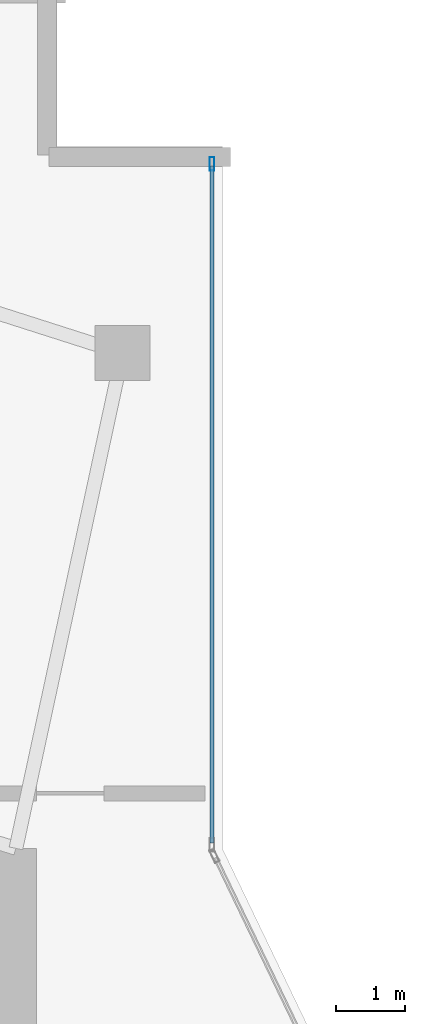
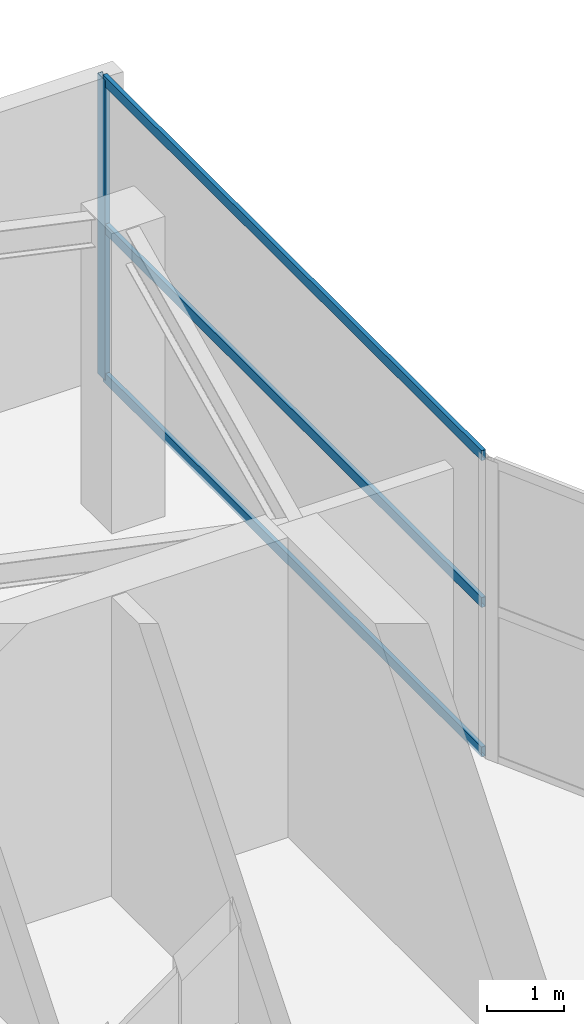
# One storey, part 16 of 20: 4 members, 1 element without a shape of its own.
"""IFC4 building model written with IfcOpenShell, lengths in metres."""

from ifc_helpers import new_model, si_unit, direction, frame, origin, origin_2d, place, context, subcontext, project, spatial, hollow_rectangle, extrude, material, layer, layer_set, material_profile, profile_set, type_object, element, aggregate, save


model = new_model("IFC4")

# Units and contexts
model_context = context("Model", 3, precision=1e-05, world=origin(), true_north=direction((0.0, 1.0)))
body_context = subcontext(model_context, "Body", "Model", "MODEL_VIEW")
ifc_project = project(units=[si_unit("LENGTHUNIT", "METRE"), si_unit("AREAUNIT", "SQUARE_METRE"), si_unit("VOLUMEUNIT", "CUBIC_METRE"), si_unit("PLANEANGLEUNIT", "RADIAN"), si_unit("MASSUNIT", "GRAM", prefix="KILO")], contexts=[model_context])

# Site, building, storey
site_placement = place(None, origin())
site = spatial("IfcSite", under=ifc_project, at=site_placement, CompositionType="ELEMENT")
building_placement = place(site_placement, origin())
building = spatial("IfcBuilding", under=site, at=building_placement, Name="Calvorn Quay Hotel", CompositionType="ELEMENT")
storey_placement = place(building_placement, frame((0.0, 0.0, 335.5)))
storey = spatial("IfcBuildingStorey", under=building, at=storey_placement, Name="L82", CompositionType="ELEMENT", Elevation=335.5)

# Curtain wall, members
ifc_material_1 = material(Name="Pale Anodised Aluminium and Laminated Glass", Category="aluminium")
ifc_layer = layer(ifc_material_1, 0.219970703125)
ifc_layer_set = layer_set([ifc_layer], Name="CW-SYS-CRN")
curtain_wall_type = type_object("IfcCurtainWallType", Name="CW-SYS-CRN", PredefinedType="NOTDEFINED", material=ifc_layer_set)
curtain_wall_placement = place(storey_placement, origin())
curtain_wall = element("IfcCurtainWall", 1, at=curtain_wall_placement, inside=storey, type_object=curtain_wall_type, Name="Crown Curtain Wall L82-C4", PredefinedType="NOTDEFINED")
ifc_material_2 = material(Name="Pale Anodised Aluminium 6063-T6", Category="aluminium")
ifc_material_profile_1 = material_profile(ifc_material_2, hollow_rectangle(XDim=0.072021484375, YDim=0.195068359375, WallThickness=0.00390625, at=origin_2d()), Name="ALU-M195x72x4")
ifc_profile_set_1 = profile_set([ifc_material_profile_1], Name="Pale Anodised Aluminium 6063-T6")
member_type_1 = type_object("IfcMemberType", Name="CW-SYS-CRN-MUL", PredefinedType="MULLION", material=ifc_profile_set_1)
member_1_placement = place(storey_placement, frame((17.85009765625, 48.35009765625, 0.0), z_axis=(0.0, 0.0, 1.0), x_axis=(-1.0, 0.0, 0.0)))
member_1 = element("IfcMember", 2, at=member_1_placement, type_object=member_type_1, Name="CW-L82-C4 mullion 2", PredefinedType="MULLION", context=body_context, shape_type="SweptSolid", body=[
    extrude(hollow_rectangle(XDim=0.072021484375, YDim=0.195068359375, WallThickness=0.00390625, at=origin_2d()), origin(), (0.0, 0.0, 1.0), 4.760009765625),
])
ifc_material_3 = material(Name="Pale Anodised Aluminium 6063-T6", Category="aluminium")
ifc_material_profile_2 = material_profile(ifc_material_3, hollow_rectangle(XDim=0.06201171875, YDim=0.159912109375, WallThickness=0.00341796875, at=origin_2d()), Name="ALU-T160x62x3.5")
ifc_profile_set_2 = profile_set([ifc_material_profile_2], Name="Pale Anodised Aluminium 6063-T6")
member_type_2 = type_object("IfcMemberType", Name="CW-SYS-CRN-TRN", PredefinedType="USERDEFINED", material=ifc_profile_set_2)
member_2_placement = place(storey_placement, frame((17.85009765625, 38.47998046875, 0.030029296875), z_axis=(0.0, 1.0, 0.0), x_axis=(-1.0, 0.0, 0.0)))
member_2 = element("IfcMember", 3, at=member_2_placement, type_object=member_type_2, Name="CW-L82-C4 transom 1.1", ObjectType="TRANSOM", PredefinedType="USERDEFINED", context=body_context, shape_type="SweptSolid", body=[
    extrude(hollow_rectangle(XDim=0.06201171875, YDim=0.159912109375, WallThickness=0.00341796875, at=origin_2d()), origin(), (0.0, 0.0, 1.0), 9.840087890625),
])
member_3_placement = place(storey_placement, frame((17.85009765625, 38.47998046875, 2.39990234375), z_axis=(0.0, 1.0, 0.0), x_axis=(-1.0, 0.0, 0.0)))
member_3 = element("IfcMember", 4, at=member_3_placement, type_object=member_type_2, Name="CW-L82-C4 transom 1.2", ObjectType="TRANSOM", PredefinedType="USERDEFINED", context=body_context, shape_type="SweptSolid", body=[
    extrude(hollow_rectangle(XDim=0.06201171875, YDim=0.159912109375, WallThickness=0.00341796875, at=origin_2d()), origin(), (0.0, 0.0, 1.0), 9.840087890625),
])
member_4_placement = place(storey_placement, frame((17.85009765625, 38.47998046875, 4.72998046875), z_axis=(0.0, 1.0, 0.0), x_axis=(-1.0, 0.0, 0.0)))
member_4 = element("IfcMember", 5, at=member_4_placement, type_object=member_type_2, Name="CW-L82-C4 transom 1.3", ObjectType="TRANSOM", PredefinedType="USERDEFINED", context=body_context, shape_type="SweptSolid", body=[
    extrude(hollow_rectangle(XDim=0.06201171875, YDim=0.159912109375, WallThickness=0.00341796875, at=origin_2d()), origin(), (0.0, 0.0, 1.0), 9.840087890625),
])
aggregate(curtain_wall, [member_1, member_2, member_3, member_4])

save(model, "model.ifc")
